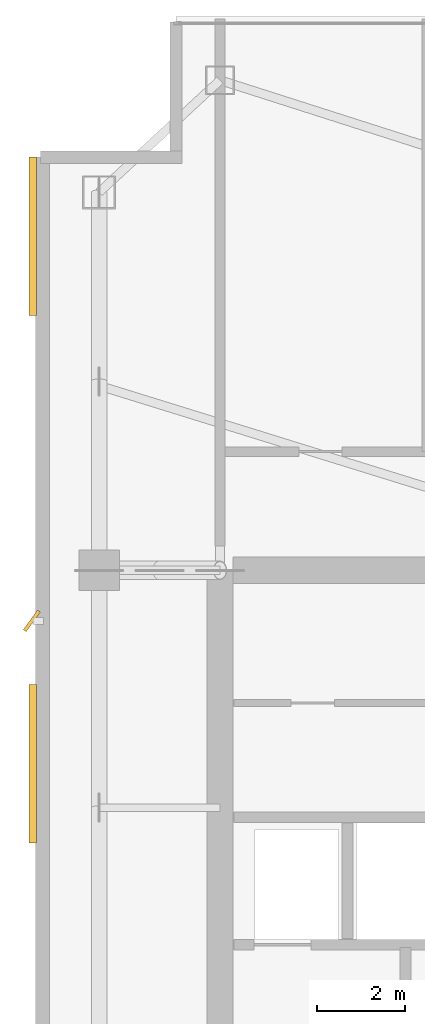
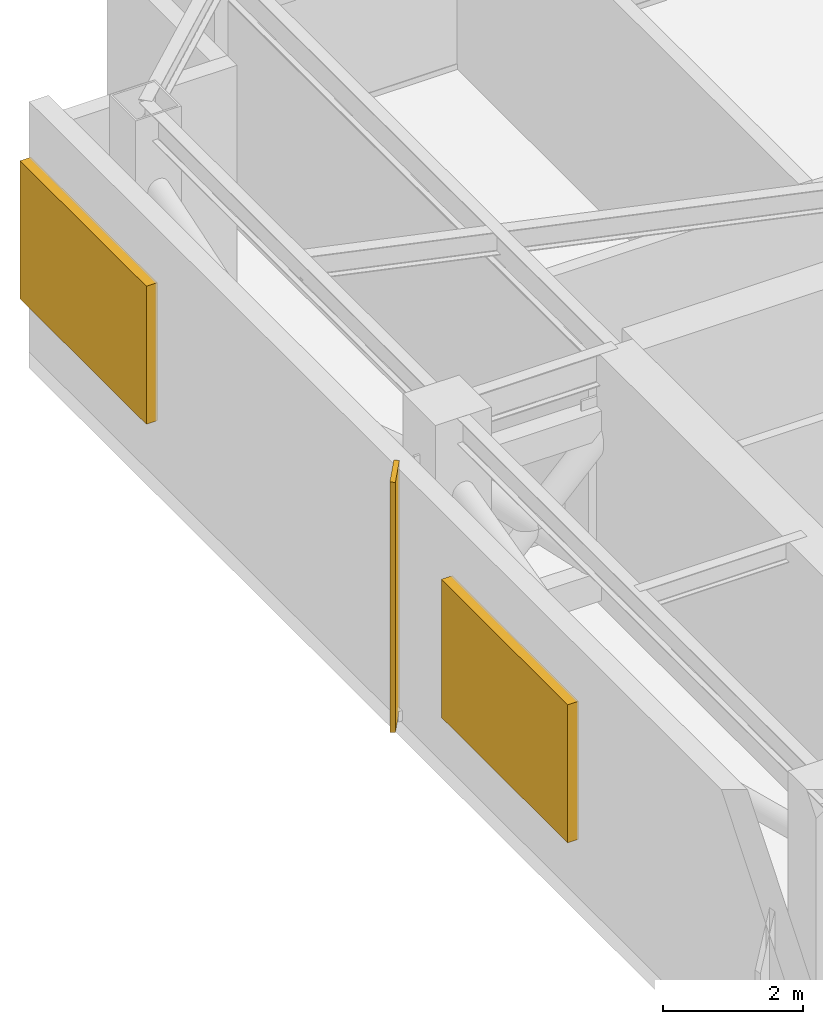
# One storey, part 15 of 15: 3 shading devices.
"""IFC4 building model written with IfcOpenShell, lengths in metres."""

from ifc_helpers import new_model, si_unit, direction, frame, origin, origin_2d, place, context, subcontext, project, spatial, rectangle, extrude, material, type_object, element, save


model = new_model("IFC4")

# Units and contexts
model_context = context("Model", 3, precision=1e-05, world=origin(), true_north=direction((0.0, 1.0)))
body_context = subcontext(model_context, "Body", "Model", "MODEL_VIEW")
ifc_project = project(units=[si_unit("LENGTHUNIT", "METRE"), si_unit("AREAUNIT", "SQUARE_METRE"), si_unit("VOLUMEUNIT", "CUBIC_METRE"), si_unit("PLANEANGLEUNIT", "RADIAN"), si_unit("MASSUNIT", "GRAM", prefix="KILO")], contexts=[model_context])

# Site, building, storey
site_placement = place(None, origin())
site = spatial("IfcSite", under=ifc_project, at=site_placement, CompositionType="ELEMENT")
building_placement = place(site_placement, origin())
building = spatial("IfcBuilding", under=site, at=building_placement, Name="Calvorn Quay Hotel", CompositionType="ELEMENT")
storey_placement = place(building_placement, frame((0.0, 0.0, 282.5)))
storey = spatial("IfcBuildingStorey", under=building, at=storey_placement, Name="L70", CompositionType="ELEMENT", Elevation=282.5)

# Shading devices
ifc_material_1 = material(Name="Champagne Bronze Anodised Aluminium 6063-T6", Category="aluminium")
shading_device_type_1 = type_object("IfcShadingDeviceType", Name="SHD-FIN-A3", PredefinedType="USERDEFINED", material=ifc_material_1)
shading_device_placement = place(storey_placement, frame((-0.080078125, 37.25, 0.0), z_axis=(0.0, 0.0, 1.0), x_axis=(0.587785252292, 0.809016994375, 0.0)))
element("IfcShadingDevice", 1, at=shading_device_placement, inside=storey, type_object=shading_device_type_1, Name="Diagonal Sun-Shading Fin L70-W03", ObjectType="FIN", PredefinedType="USERDEFINED", context=body_context, shape_type="SweptSolid", body=[
    extrude(rectangle(XDim=0.550048828125, YDim=0.080078125, at=origin_2d()), origin(), (0.0, 0.0, 1.0), 4.35009765625),
])
ifc_material_2 = material(Name="Anodised Aluminium 6063-T6", Category="aluminium")
shading_device_type_2 = type_object("IfcShadingDeviceType", Name="SHD-MECH-LOUVRE", PredefinedType="USERDEFINED", material=ifc_material_2)
for number, where, z_axis, x_axis, name in (
    (2, (-0.06005859375, 34.0, 0.97509765625), (0.0, 0.0, 1.0), (1.0, 0.0, 0.0), "Refuge Stormproof Intake Louvre L70-W3"),
    (3, (-0.06005859375, 46.0, 0.97509765625), (0.0, 0.0, 1.0), (1.0, 0.0, 0.0), "Refuge Stormproof Intake Louvre L70-W4"),
):
    element("IfcShadingDevice", number, at=place(storey_placement, frame(where, z_axis=z_axis, x_axis=x_axis)), inside=storey, type_object=shading_device_type_2, Name=name, ObjectType="LOUVRE", PredefinedType="USERDEFINED", context=body_context, shape_type="SweptSolid", body=[
        extrude(rectangle(XDim=0.179931640625, YDim=3.60009765625, at=origin_2d()), origin(), (0.0, 0.0, 1.0), 2.39990234375),
    ])

save(model, "model.ifc")
